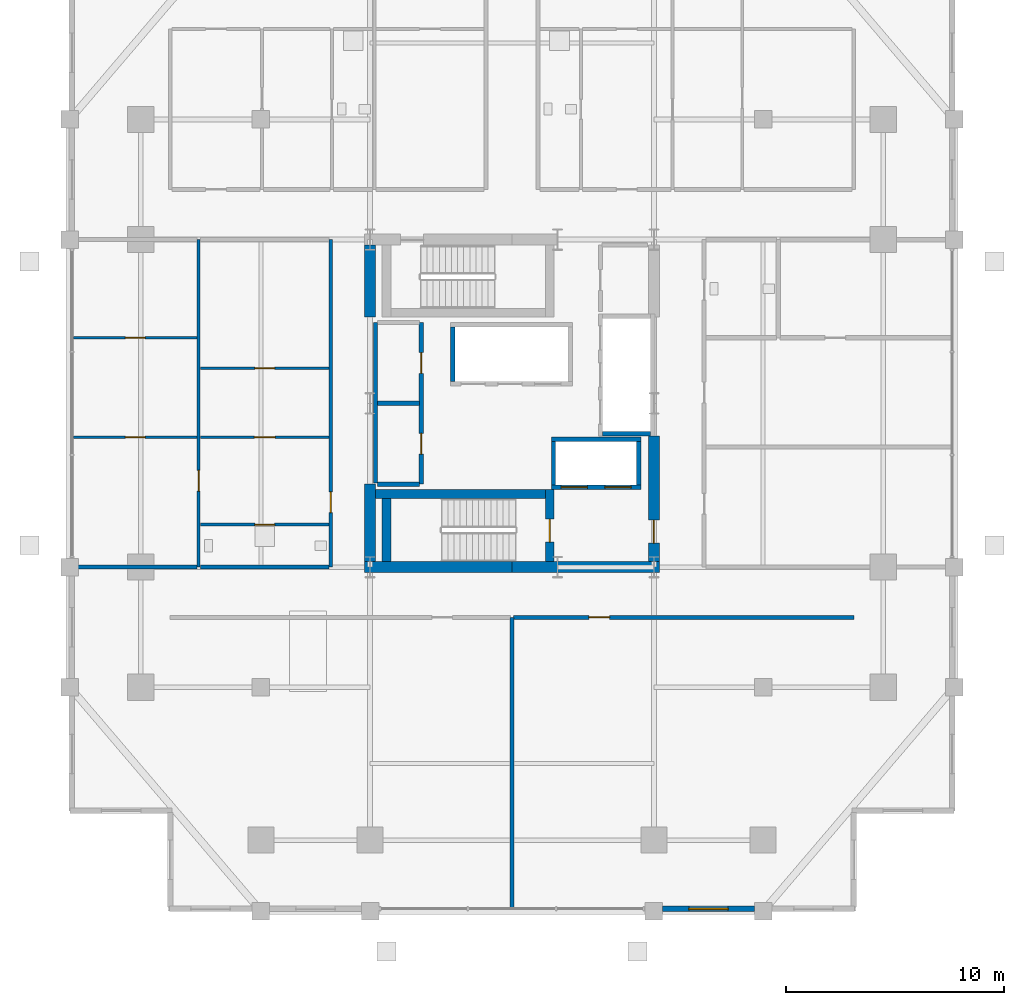
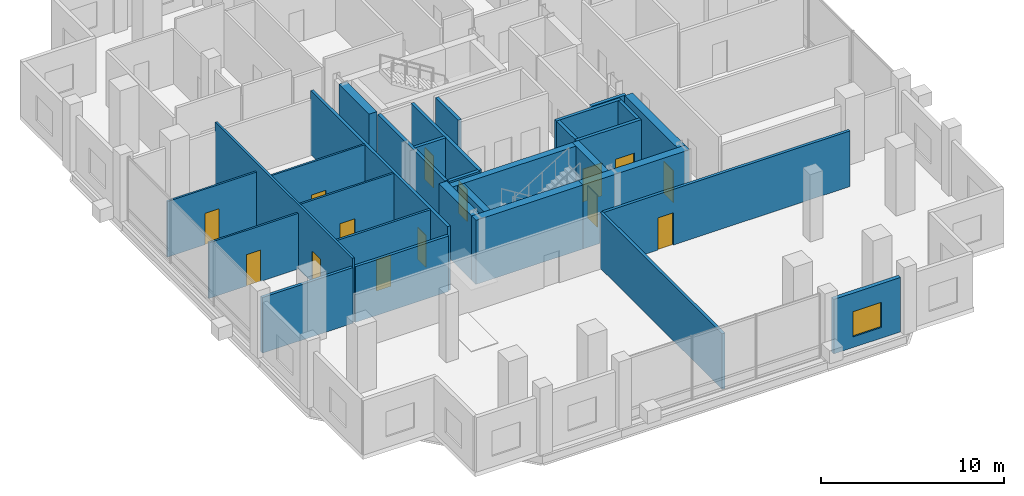
# One storey, part 14 of 19: 30 walls, 14 doors, 1 window, 15 openings.
"""IFC4 building model written with IfcOpenShell, lengths in metres."""

from ifc_helpers import new_model, si_unit, direction, frame, frame_2d, origin, place, context, subcontext, project, spatial, rectangle, extrude, material, layer, layer_set, type_object, element, fill, save


model = new_model("IFC4")

# Units and contexts
model_context = context("Model", 3, precision=1e-05, world=origin(), true_north=direction((0.0, 1.0)))
body_context = subcontext(model_context, "Body", "Model", "MODEL_VIEW")
ifc_project = project(units=[si_unit("LENGTHUNIT", "METRE"), si_unit("AREAUNIT", "SQUARE_METRE"), si_unit("VOLUMEUNIT", "CUBIC_METRE"), si_unit("PLANEANGLEUNIT", "RADIAN"), si_unit("MASSUNIT", "GRAM", prefix="KILO")], contexts=[model_context])

# Site, building, storey
site_placement = place(None, origin())
site = spatial("IfcSite", under=ifc_project, at=site_placement, CompositionType="ELEMENT")
building_placement = place(site_placement, origin())
building = spatial("IfcBuilding", under=site, at=building_placement, Name="Barlavira Tower and Art Museum", CompositionType="ELEMENT")
storey_placement = place(building_placement, frame((0.0, 0.0, 125.10009765625)))
storey = spatial("IfcBuildingStorey", under=building, at=storey_placement, Name="L31", CompositionType="ELEMENT", Elevation=125.10009765625)

# Wall, opening, door
ifc_material_1 = material(Name="Gypsum acoustic stud partition", Category="gypsum")
ifc_layer_1 = layer(ifc_material_1, 0.1201171875, Name="Gypsum acoustic stud partition")
ifc_layer_set_1 = layer_set([ifc_layer_1], Name="Gypsum acoustic stud partition")
wall_type_1 = type_object("IfcWallType", Name="Apartment Internal Acoustic Partition 120", PredefinedType="PARTITIONING", material=ifc_layer_set_1)
wall_1_placement = place(storey_placement, frame((-20.070068359375, -1.550048828125, 0.0), z_axis=(0.0, 0.0, 1.0), x_axis=(1.0, 0.0, 0.0)))
wall_1 = element("IfcWall", 1, at=wall_1_placement, inside=storey, type_object=wall_type_1, Name="L31 Partition Wall 27", PredefinedType="PARTITIONING", context=body_context, shape_type="SweptSolid", body=[
    extrude(rectangle(XDim=5.64013671875, YDim=0.1201171875, at=frame_2d((2.820068359375, 0.0))), origin(), (0.0, 0.0, 1.0), 3.7158203125),
])
opening_1_placement = place(wall_1_placement, frame((2.3701171875, 0.0, 0.0)))
opening_1 = element("IfcOpeningElement", 2, at=opening_1_placement, cuts=wall_1, Name="Opening D-01", PredefinedType="OPENING", context=body_context, shape_type="SweptSolid", body=[
    extrude(rectangle(XDim=0.89990234375, YDim=2.10009765625, at=frame_2d((0.449951171875, 1.050048828125))), frame((0.0, 0.070068359375, 0.0), z_axis=(0.0, -1.0, 0.0), x_axis=(1.0, 0.0, 0.0)), (0.0, 0.0, 1.0), 0.14013671875),
])
ifc_material_2 = material(Name="Engineered coastal hardwood", Category="wood")
door_type_1 = type_object("IfcDoorType", Name="Internal Bedroom Timber Flush Door 900x2100", OperationType="NOTDEFINED", PredefinedType="DOOR", material=ifc_material_2)
door_1_placement = place(opening_1_placement, origin())
door_1 = element("IfcDoor", 3, at=door_1_placement, inside=storey, type_object=door_type_1, Name="Apartment SKY-W1 Bedroom 1 Door", OperationType="SINGLE_SWING_LEFT", OverallHeight=2.10009765625, OverallWidth=0.89990234375, PredefinedType="DOOR", context=body_context, shape_type="SweptSolid", body=[
    extrude(rectangle(XDim=0.89990234375, YDim=2.10009765625, at=frame_2d((0.449951171875, 1.050048828125))), frame((0.0, 0.02490234375, 0.0), z_axis=(0.0, -1.0, 0.0), x_axis=(1.0, 0.0, 0.0)), (0.0, 0.0, 1.0), 0.050048828125),
])
fill(opening_1, door_1)

wall_2_placement = place(storey_placement, frame((-14.27001953125, -1.550048828125, 0.0), z_axis=(0.0, 0.0, 1.0), x_axis=(1.0, 0.0, 0.0)))
wall_2 = element("IfcWall", 4, at=wall_2_placement, inside=storey, type_object=wall_type_1, Name="L31 Partition Wall 28", PredefinedType="PARTITIONING", context=body_context, shape_type="SweptSolid", body=[
    extrude(rectangle(XDim=5.89013671875, YDim=0.1201171875, at=frame_2d((2.945068359375, 0.0))), origin(), (0.0, 0.0, 1.0), 4.27978515625),
])
opening_2_placement = place(wall_2_placement, frame((2.47509765625, 0.0, 0.0)))
opening_2 = element("IfcOpeningElement", 5, at=opening_2_placement, cuts=wall_2, Name="Opening D-02", PredefinedType="OPENING", context=body_context, shape_type="SweptSolid", body=[
    extrude(rectangle(XDim=0.949951171875, YDim=2.10009765625, at=frame_2d((0.47509765625, 1.050048828125))), frame((0.0, 0.070068359375, 0.0), z_axis=(0.0, -1.0, 0.0), x_axis=(1.0, 0.0, 0.0)), (0.0, 0.0, 1.0), 0.14013671875),
])
door_type_2 = type_object("IfcDoorType", Name="Living and Salon Glazed-Leaf Door 950x2100", OperationType="NOTDEFINED", PredefinedType="DOOR", material=ifc_material_2)
door_2_placement = place(opening_2_placement, origin())
door_2 = element("IfcDoor", 6, at=door_2_placement, inside=storey, type_object=door_type_2, Name="Apartment SKY-W1 Kitchen Door", OperationType="SINGLE_SWING_RIGHT", OverallHeight=2.10009765625, OverallWidth=0.949951171875, PredefinedType="DOOR", context=body_context, shape_type="SweptSolid", body=[
    extrude(rectangle(XDim=0.949951171875, YDim=2.10009765625, at=frame_2d((0.47509765625, 1.050048828125))), frame((0.0, 0.02490234375, 0.0), z_axis=(0.0, -1.0, 0.0), x_axis=(1.0, 0.0, 0.0)), (0.0, 0.0, 1.0), 0.050048828125),
])
fill(opening_2, door_2)

wall_3_placement = place(storey_placement, frame((-14.27001953125, 1.60009765625, 0.0), z_axis=(0.0, 0.0, 1.0), x_axis=(1.0, 0.0, 0.0)))
wall_3 = element("IfcWall", 7, at=wall_3_placement, inside=storey, type_object=wall_type_1, Name="L31 Partition Wall 30", PredefinedType="PARTITIONING", context=body_context, shape_type="SweptSolid", body=[
    extrude(rectangle(XDim=5.89013671875, YDim=0.1201171875, at=frame_2d((2.945068359375, 0.0))), origin(), (0.0, 0.0, 1.0), 4.27978515625),
])
opening_3_placement = place(wall_3_placement, frame((2.5, 0.0, 0.0)))
opening_3 = element("IfcOpeningElement", 8, at=opening_3_placement, cuts=wall_3, Name="Opening D-01", PredefinedType="OPENING", context=body_context, shape_type="SweptSolid", body=[
    extrude(rectangle(XDim=0.89990234375, YDim=2.10009765625, at=frame_2d((0.449951171875, 1.050048828125))), frame((0.0, 0.070068359375, 0.0), z_axis=(0.0, -1.0, 0.0), x_axis=(1.0, 0.0, 0.0)), (0.0, 0.0, 1.0), 0.14013671875),
])
door_3_placement = place(opening_3_placement, origin())
door_3 = element("IfcDoor", 9, at=door_3_placement, inside=storey, type_object=door_type_1, Name="Apartment SKY-W1 Walk-In Dressing Room Door", OperationType="SINGLE_SWING_LEFT", OverallHeight=2.10009765625, OverallWidth=0.89990234375, PredefinedType="DOOR", context=body_context, shape_type="SweptSolid", body=[
    extrude(rectangle(XDim=0.89990234375, YDim=2.10009765625, at=frame_2d((0.449951171875, 1.050048828125))), frame((0.0, 0.02490234375, 0.0), z_axis=(0.0, -1.0, 0.0), x_axis=(1.0, 0.0, 0.0)), (0.0, 0.0, 1.0), 0.050048828125),
])
fill(opening_3, door_3)

wall_4_placement = place(storey_placement, frame((-20.070068359375, 3.0, 0.0), z_axis=(0.0, 0.0, 1.0), x_axis=(1.0, 0.0, 0.0)))
wall_4 = element("IfcWall", 10, at=wall_4_placement, inside=storey, type_object=wall_type_1, Name="L31 Partition Wall 31", PredefinedType="PARTITIONING", context=body_context, shape_type="SweptSolid", body=[
    extrude(rectangle(XDim=5.64013671875, YDim=0.1201171875, at=frame_2d((2.820068359375, 0.0))), origin(), (0.0, 0.0, 1.0), 3.7158203125),
])
opening_4_placement = place(wall_4_placement, frame((2.3701171875, 0.0, 0.0)))
opening_4 = element("IfcOpeningElement", 11, at=opening_4_placement, cuts=wall_4, Name="Opening D-01", PredefinedType="OPENING", context=body_context, shape_type="SweptSolid", body=[
    extrude(rectangle(XDim=0.89990234375, YDim=2.10009765625, at=frame_2d((0.449951171875, 1.050048828125))), frame((0.0, 0.070068359375, 0.0), z_axis=(0.0, -1.0, 0.0), x_axis=(1.0, 0.0, 0.0)), (0.0, 0.0, 1.0), 0.14013671875),
])
door_4_placement = place(opening_4_placement, origin())
door_4 = element("IfcDoor", 12, at=door_4_placement, inside=storey, type_object=door_type_1, Name="Apartment SKY-W1 Bedroom 2 Door", OperationType="SINGLE_SWING_RIGHT", OverallHeight=2.10009765625, OverallWidth=0.89990234375, PredefinedType="DOOR", context=body_context, shape_type="SweptSolid", body=[
    extrude(rectangle(XDim=0.89990234375, YDim=2.10009765625, at=frame_2d((0.449951171875, 1.050048828125))), frame((0.0, 0.02490234375, 0.0), z_axis=(0.0, -1.0, 0.0), x_axis=(1.0, 0.0, 0.0)), (0.0, 0.0, 1.0), 0.050048828125),
])
fill(opening_4, door_4)

# Walls
ifc_material_3 = material(Name="Concrete C60", Category="concrete")
ifc_layer_2 = layer(ifc_material_3, 0.5, Name="Concrete C60")
ifc_layer_set_2 = layer_set([ifc_layer_2], Name="Concrete C60")
wall_type_2 = type_object("IfcWallType", Name="Core Structural Shear Wall 500 Concrete C60", PredefinedType="SHEAR", material=ifc_layer_set_2)
for number, where, z_axis, x_axis, name in (
    (13, (-6.75, -7.5, 0.0), (0.0, 0.0, 1.0), (1.0, 0.0, 0.0), "L31 Core Shear Wall CS-SW"),
    (14, (0.0, -7.5, 0.0), (0.0, 0.0, 1.0), (1.0, 0.0, 0.0), "L31 Core Shear Wall CS-SE"),
):
    element("IfcWall", number, at=place(storey_placement, frame(where, z_axis=z_axis, x_axis=x_axis)), inside=storey, type_object=wall_type_2, Name=name, PredefinedType="SHEAR", context=body_context, shape_type="SweptSolid", body=[
        extrude(rectangle(XDim=6.75, YDim=0.5, at=frame_2d((3.375, 0.0))), origin(), (0.0, 0.0, 1.0), 4.27978515625),
    ])
wall_5_placement = place(storey_placement, frame((-6.5, -7.25, 0.0), z_axis=(0.0, 0.0, 1.0), x_axis=(0.0, 1.0, 0.0)))
element("IfcWall", 15, at=wall_5_placement, inside=storey, type_object=wall_type_2, Name="L31 Core Shear Wall CS-W1", PredefinedType="SHEAR", context=body_context, shape_type="SweptSolid", body=[
    extrude(rectangle(XDim=3.550048828125, YDim=0.5, at=frame_2d((1.77490234375, 0.0))), origin(), (0.0, 0.0, 1.0), 4.27978515625),
])
wall_6_placement = place(storey_placement, frame((-6.5, 3.949951171875, 0.0), z_axis=(0.0, 0.0, 1.0), x_axis=(0.0, 1.0, 0.0)))
element("IfcWall", 16, at=wall_6_placement, inside=storey, type_object=wall_type_2, Name="L31 Core Shear Wall CS-W2", PredefinedType="SHEAR", context=body_context, shape_type="SweptSolid", body=[
    extrude(rectangle(XDim=3.300048828125, YDim=0.5, at=frame_2d((1.64990234375, 0.0))), origin(), (0.0, 0.0, 1.0), 4.27978515625),
])

# Wall, opening, door
wall_7_placement = place(storey_placement, frame((6.5, -7.25, 0.0), z_axis=(0.0, 0.0, 1.0), x_axis=(0.0, 1.0, 0.0)))
wall_7 = element("IfcWall", 17, at=wall_7_placement, inside=storey, type_object=wall_type_2, Name="L31 Core Shear Wall CS-E1", PredefinedType="SHEAR", context=body_context, shape_type="SweptSolid", body=[
    extrude(rectangle(XDim=5.75, YDim=0.5, at=frame_2d((2.875, 0.0))), origin(), (0.0, 0.0, 1.0), 4.27978515625),
])
opening_5_placement = place(wall_7_placement, frame((0.85009765625, 0.0, 0.0)))
opening_5 = element("IfcOpeningElement", 18, at=opening_5_placement, cuts=wall_7, Name="Opening FD-90", PredefinedType="OPENING", context=body_context, shape_type="SweptSolid", body=[
    extrude(rectangle(XDim=1.050048828125, YDim=2.14990234375, at=frame_2d((0.52490234375, 1.074951171875))), frame((0.0, 0.260009765625, 0.0), z_axis=(0.0, -1.0, 0.0), x_axis=(1.0, 0.0, 0.0)), (0.0, 0.0, 1.0), 0.52001953125),
])
ifc_material_4 = material(Name="Brushed stainless steel", Category="steel")
door_type_3 = type_object("IfcDoorType", Name="Stair and Refuge Fire Door 1050x2150 FD90S", OperationType="NOTDEFINED", PredefinedType="DOOR", material=ifc_material_4)
door_5_placement = place(opening_5_placement, origin())
door_5 = element("IfcDoor", 19, at=door_5_placement, inside=storey, type_object=door_type_3, Name="L31 Firefighting Lobby Entry Fire Door", OperationType="SINGLE_SWING_LEFT", OverallHeight=2.14990234375, OverallWidth=1.050048828125, PredefinedType="DOOR", context=body_context, shape_type="SweptSolid", body=[
    extrude(rectangle(XDim=1.050048828125, YDim=2.14990234375, at=frame_2d((0.52490234375, 1.074951171875))), frame((0.0, 0.02490234375, 0.0), z_axis=(0.0, -1.0, 0.0), x_axis=(1.0, 0.0, 0.0)), (0.0, 0.0, 1.0), 0.050048828125),
])
fill(opening_5, door_5)

# Walls
ifc_material_5 = material(Name="Autoclaved aerated concrete masonry", Category="masonry")
ifc_layer_3 = layer(ifc_material_5, 0.199951171875, Name="Autoclaved aerated concrete masonry")
ifc_layer_set_3 = layer_set([ifc_layer_3], Name="Autoclaved aerated concrete masonry")
wall_type_3 = type_object("IfcWallType", Name="Fire Compartment and Shaft Wall 200", PredefinedType="SOLIDWALL", material=ifc_layer_set_3)
wall_8_placement = place(storey_placement, frame((4.14990234375, -1.389892578125, 0.0), z_axis=(0.0, 0.0, 1.0), x_axis=(1.0, 0.0, 0.0)))
element("IfcWall", 20, at=wall_8_placement, inside=storey, type_object=wall_type_3, Name="L31 Mid-Rise Lift South Shaft Wall", PredefinedType="SOLIDWALL", context=body_context, shape_type="SweptSolid", body=[
    extrude(rectangle(XDim=2.2001953125, YDim=0.199951171875, at=frame_2d((1.10009765625, 0.0))), origin(), (0.0, 0.0, 1.0), 4.27978515625),
])
wall_9_placement = place(storey_placement, frame((-2.719970703125, 1.0, 0.0), z_axis=(0.0, 0.0, 1.0), x_axis=(0.0, 1.0, 0.0)))
element("IfcWall", 21, at=wall_9_placement, inside=storey, type_object=wall_type_3, Name="L31 High-Rise & Service Lift West Wall", PredefinedType="SOLIDWALL", context=body_context, shape_type="SweptSolid", body=[
    extrude(rectangle(XDim=2.5, YDim=0.199951171875, at=frame_2d((1.25, 0.0))), origin(), (0.0, 0.0, 1.0), 4.27978515625),
])

# Wall, openings, doors
wall_10_placement = place(storey_placement, frame((1.800048828125, -3.85009765625, 0.0), z_axis=(0.0, 0.0, 1.0), x_axis=(1.0, 0.0, 0.0)))
wall_10 = element("IfcWall", 22, at=wall_10_placement, inside=storey, type_object=wall_type_3, Name="L31 Firefighting Lift Front Shaft Wall", PredefinedType="SOLIDWALL", context=body_context, shape_type="SweptSolid", body=[
    extrude(rectangle(XDim=4.099853515625, YDim=0.199951171875, at=frame_2d((2.0498046875, 0.0))), origin(), (0.0, 0.0, 1.0), 4.27978515625),
])
opening_6_placement = place(wall_10_placement, frame((0.449951171875, 0.0, 0.0)))
opening_6 = element("IfcOpeningElement", 23, at=opening_6_placement, cuts=wall_10, Name="Opening LD-F", PredefinedType="OPENING", context=body_context, shape_type="SweptSolid", body=[
    extrude(rectangle(XDim=1.199951171875, YDim=2.199951171875, at=frame_2d((0.60009765625, 1.10009765625))), frame((0.0, 0.10986328125, 0.0), z_axis=(0.0, -1.0, 0.0), x_axis=(1.0, 0.0, 0.0)), (0.0, 0.0, 1.0), 0.219970703125),
])
opening_7_placement = place(wall_10_placement, frame((2.449951171875, 0.0, 0.0)))
opening_7 = element("IfcOpeningElement", 24, at=opening_7_placement, cuts=wall_10, Name="Opening LD-F", PredefinedType="OPENING", context=body_context, shape_type="SweptSolid", body=[
    extrude(rectangle(XDim=1.199951171875, YDim=2.199951171875, at=frame_2d((0.60009765625, 1.10009765625))), frame((0.0, 0.10986328125, 0.0), z_axis=(0.0, -1.0, 0.0), x_axis=(1.0, 0.0, 0.0)), (0.0, 0.0, 1.0), 0.219970703125),
])
door_type_4 = type_object("IfcDoorType", Name="Firefighting and Service Lift Sliding Door 1200x2200 FD120", OperationType="NOTDEFINED", PredefinedType="DOOR", material=ifc_material_4)
door_6_placement = place(opening_6_placement, origin())
door_6 = element("IfcDoor", 25, at=door_6_placement, inside=storey, type_object=door_type_4, Name="L31 Firefighting Lift FF1 Sliding Door", OperationType="DOUBLE_DOOR_SLIDING", OverallHeight=2.199951171875, OverallWidth=1.199951171875, PredefinedType="DOOR", context=body_context, shape_type="SweptSolid", body=[
    extrude(rectangle(XDim=1.199951171875, YDim=2.199951171875, at=frame_2d((0.60009765625, 1.10009765625))), frame((0.0, 0.02490234375, 0.0), z_axis=(0.0, -1.0, 0.0), x_axis=(1.0, 0.0, 0.0)), (0.0, 0.0, 1.0), 0.050048828125),
])
fill(opening_6, door_6)
door_7_placement = place(opening_7_placement, origin())
door_7 = element("IfcDoor", 26, at=door_7_placement, inside=storey, type_object=door_type_4, Name="L31 Firefighting Lift FF2 Sliding Door", OperationType="DOUBLE_DOOR_SLIDING", OverallHeight=2.199951171875, OverallWidth=1.199951171875, PredefinedType="DOOR", context=body_context, shape_type="SweptSolid", body=[
    extrude(rectangle(XDim=1.199951171875, YDim=2.199951171875, at=frame_2d((0.60009765625, 1.10009765625))), frame((0.0, 0.02490234375, 0.0), z_axis=(0.0, -1.0, 0.0), x_axis=(1.0, 0.0, 0.0)), (0.0, 0.0, 1.0), 0.050048828125),
])
fill(opening_7, door_7)

# Walls
wall_11_placement = place(storey_placement, frame((1.800048828125, -1.64990234375, 0.0), z_axis=(0.0, 0.0, 1.0), x_axis=(1.0, 0.0, 0.0)))
element("IfcWall", 27, at=wall_11_placement, inside=storey, type_object=wall_type_3, Name="L31 Firefighting Lift Back Shaft Wall", PredefinedType="SOLIDWALL", context=body_context, shape_type="SweptSolid", body=[
    extrude(rectangle(XDim=4.099853515625, YDim=0.199951171875, at=frame_2d((2.0498046875, 0.0))), origin(), (0.0, 0.0, 1.0), 4.27978515625),
])
for number, where, z_axis, x_axis, name in (
    (28, (1.89990234375, -3.75, 0.0), (0.0, 0.0, 1.0), (0.0, 1.0, 0.0), "L31 Firefighting Lift West Shaft Wall"),
    (29, (5.800048828125, -3.75, 0.0), (0.0, 0.0, 1.0), (0.0, 1.0, 0.0), "L31 Firefighting Lift East Shaft Wall"),
):
    element("IfcWall", number, at=place(storey_placement, frame(where, z_axis=z_axis, x_axis=x_axis)), inside=storey, type_object=wall_type_3, Name=name, PredefinedType="SOLIDWALL", context=body_context, shape_type="SweptSolid", body=[
        extrude(rectangle(XDim=2.0, YDim=0.199951171875, at=frame_2d((1.0, 0.0))), origin(), (0.0, 0.0, 1.0), 4.27978515625),
    ])
wall_12_placement = place(storey_placement, frame((-6.25, -3.639892578125, 0.0), z_axis=(0.0, 0.0, 1.0), x_axis=(0.0, 1.0, 0.0)))
element("IfcWall", 30, at=wall_12_placement, inside=storey, type_object=wall_type_3, Name="L31 Partition Wall 7", PredefinedType="SOLIDWALL", context=body_context, shape_type="SweptSolid", body=[
    extrude(rectangle(XDim=7.33984375, YDim=0.199951171875, at=frame_2d((3.669921875, 0.0))), origin(), (0.0, 0.0, 1.0), 4.27978515625),
])

# Wall, openings, doors
wall_13_placement = place(storey_placement, frame((-4.14990234375, -3.699951171875, 0.0), z_axis=(0.0, 0.0, 1.0), x_axis=(0.0, 1.0, 0.0)))
wall_13 = element("IfcWall", 31, at=wall_13_placement, inside=storey, type_object=wall_type_3, Name="L31 Partition Wall 8", PredefinedType="SOLIDWALL", context=body_context, shape_type="SweptSolid", body=[
    extrude(rectangle(XDim=7.39990234375, YDim=0.199951171875, at=frame_2d((3.699951171875, 0.0))), origin(), (0.0, 0.0, 1.0), 4.27978515625),
])
opening_8_placement = place(wall_13_placement, frame((1.375, 0.0, 0.0)))
opening_8 = element("IfcOpeningElement", 32, at=opening_8_placement, cuts=wall_13, Name="Opening FD-60", PredefinedType="OPENING", context=body_context, shape_type="SweptSolid", body=[
    extrude(rectangle(XDim=0.949951171875, YDim=2.14990234375, at=frame_2d((0.47509765625, 1.074951171875))), frame((0.0, 0.10986328125, 0.0), z_axis=(0.0, -1.0, 0.0), x_axis=(1.0, 0.0, 0.0)), (0.0, 0.0, 1.0), 0.219970703125),
])
opening_9_placement = place(wall_13_placement, frame((5.074951171875, 0.0, 0.0)))
opening_9 = element("IfcOpeningElement", 33, at=opening_9_placement, cuts=wall_13, Name="Opening FD-60", PredefinedType="OPENING", context=body_context, shape_type="SweptSolid", body=[
    extrude(rectangle(XDim=0.949951171875, YDim=2.14990234375, at=frame_2d((0.47509765625, 1.074951171875))), frame((0.0, 0.10986328125, 0.0), z_axis=(0.0, -1.0, 0.0), x_axis=(1.0, 0.0, 0.0)), (0.0, 0.0, 1.0), 0.219970703125),
])
door_type_5 = type_object("IfcDoorType", Name="Apartment Entrance and Riser Fire Door 950x2150 FD60S", OperationType="NOTDEFINED", PredefinedType="DOOR", material=ifc_material_4)
door_8_placement = place(opening_8_placement, origin())
door_8 = element("IfcDoor", 34, at=door_8_placement, inside=storey, type_object=door_type_5, Name="Reclaimed Core Linen and Amenity Store Door", OperationType="SINGLE_SWING_RIGHT", OverallHeight=2.14990234375, OverallWidth=0.949951171875, PredefinedType="DOOR", context=body_context, shape_type="SweptSolid", body=[
    extrude(rectangle(XDim=0.949951171875, YDim=2.14990234375, at=frame_2d((0.47509765625, 1.074951171875))), frame((0.0, 0.02490234375, 0.0), z_axis=(0.0, -1.0, 0.0), x_axis=(1.0, 0.0, 0.0)), (0.0, 0.0, 1.0), 0.050048828125),
])
fill(opening_8, door_8)
door_9_placement = place(opening_9_placement, origin())
door_9 = element("IfcDoor", 35, at=door_9_placement, inside=storey, type_object=door_type_5, Name="Reclaimed Core Telecom and BMS Room Door", OperationType="SINGLE_SWING_LEFT", OverallHeight=2.14990234375, OverallWidth=0.949951171875, PredefinedType="DOOR", context=body_context, shape_type="SweptSolid", body=[
    extrude(rectangle(XDim=0.949951171875, YDim=2.14990234375, at=frame_2d((0.47509765625, 1.074951171875))), frame((0.0, 0.02490234375, 0.0), z_axis=(0.0, -1.0, 0.0), x_axis=(1.0, 0.0, 0.0)), (0.0, 0.0, 1.0), 0.050048828125),
])
fill(opening_9, door_9)

# Walls
for number, where, z_axis, x_axis, name in (
    (36, (-6.169921875, -3.699951171875, 0.0), (0.0, 0.0, 1.0), (1.0, 0.0, 0.0), "L31 Partition Wall 25"),
    (37, (-6.169921875, 0.0, 0.0), (0.0, 0.0, 1.0), (1.0, 0.0, 0.0), "L31 Partition Wall 29"),
):
    element("IfcWall", number, at=place(storey_placement, frame(where, z_axis=z_axis, x_axis=x_axis)), inside=storey, type_object=wall_type_3, Name=name, PredefinedType="SOLIDWALL", context=body_context, shape_type="SweptSolid", body=[
        extrude(rectangle(XDim=1.93994140625, YDim=0.199951171875, at=frame_2d((0.969970703125, 0.0))), origin(), (0.0, 0.0, 1.0), 4.27978515625),
    ])

# Wall, opening, door
ifc_layer_4 = layer(ifc_material_1, 0.179931640625, Name="Gypsum acoustic stud partition")
ifc_layer_set_4 = layer_set([ifc_layer_4], Name="Gypsum acoustic stud partition")
wall_type_4 = type_object("IfcWallType", Name="Inter-Tenancy Party Partition Wall 180", PredefinedType="PARTITIONING", material=ifc_layer_set_4)
wall_14_placement = place(storey_placement, frame((-8.300048828125, -7.5, 0.0), z_axis=(0.0, 0.0, 1.0), x_axis=(0.0, 1.0, 0.0)))
wall_14 = element("IfcWall", 38, at=wall_14_placement, inside=storey, type_object=wall_type_4, Name="L31 Partition Wall 4", PredefinedType="PARTITIONING", context=body_context, shape_type="SweptSolid", body=[
    extrude(rectangle(XDim=15.0, YDim=0.179931640625, at=frame_2d((7.5, 0.0))), origin(), (0.0, 0.0, 1.0), 4.27978515625),
])
opening_10_placement = place(wall_14_placement, frame((2.4951171875, 0.0, 0.0)))
opening_10 = element("IfcOpeningElement", 39, at=opening_10_placement, cuts=wall_14, Name="Opening FD-60", PredefinedType="OPENING", context=body_context, shape_type="SweptSolid", body=[
    extrude(rectangle(XDim=0.949951171875, YDim=2.14990234375, at=frame_2d((0.47509765625, 1.074951171875))), frame((0.0, 0.10009765625, 0.0), z_axis=(0.0, -1.0, 0.0), x_axis=(1.0, 0.0, 0.0)), (0.0, 0.0, 1.0), 0.199951171875),
])
door_10_placement = place(opening_10_placement, origin())
door_10 = element("IfcDoor", 40, at=door_10_placement, inside=storey, type_object=door_type_5, Name="Apartment Entrance Hall SKY-W1 Door", OperationType="SINGLE_SWING_LEFT", OverallHeight=2.14990234375, OverallWidth=0.949951171875, PredefinedType="DOOR", context=body_context, shape_type="SweptSolid", body=[
    extrude(rectangle(XDim=0.949951171875, YDim=2.14990234375, at=frame_2d((0.47509765625, 1.074951171875))), frame((0.0, 0.02490234375, 0.0), z_axis=(0.0, -1.0, 0.0), x_axis=(1.0, 0.0, 0.0)), (0.0, 0.0, 1.0), 0.050048828125),
])
fill(opening_10, door_10)

# Wall
wall_15_placement = place(storey_placement, frame((0.0, -23.14990234375, 0.0), z_axis=(0.0, 0.0, 1.0), x_axis=(0.0, 1.0, 0.0)))
element("IfcWall", 41, at=wall_15_placement, inside=storey, type_object=wall_type_4, Name="L31 Partition Wall 10", PredefinedType="PARTITIONING", context=body_context, shape_type="SweptSolid", body=[
    extrude(rectangle(XDim=13.349853515625, YDim=0.179931640625, at=frame_2d((6.6748046875, 0.0))), origin(), (0.0, 0.0, 1.0), 3.7158203125),
])

# Wall, opening, door
wall_16_placement = place(storey_placement, frame((0.080078125, -9.800048828125, 0.0), z_axis=(0.0, 0.0, 1.0), x_axis=(1.0, 0.0, 0.0)))
wall_16 = element("IfcWall", 42, at=wall_16_placement, inside=storey, type_object=wall_type_4, Name="L31 Partition Wall 20", PredefinedType="PARTITIONING", context=body_context, shape_type="SweptSolid", body=[
    extrude(rectangle(XDim=15.56982421875, YDim=0.179931640625, at=frame_2d((7.784912109375, 0.0))), origin(), (0.0, 0.0, 1.0), 3.7158203125),
])
opening_11_placement = place(wall_16_placement, frame((3.445068359375, 0.0, 0.0)))
opening_11 = element("IfcOpeningElement", 43, at=opening_11_placement, cuts=wall_16, Name="Opening FD-60", PredefinedType="OPENING", context=body_context, shape_type="SweptSolid", body=[
    extrude(rectangle(XDim=0.949951171875, YDim=2.14990234375, at=frame_2d((0.47509765625, 1.074951171875))), frame((0.0, 0.10009765625, 0.0), z_axis=(0.0, -1.0, 0.0), x_axis=(1.0, 0.0, 0.0)), (0.0, 0.0, 1.0), 0.199951171875),
])
door_11_placement = place(opening_11_placement, origin())
door_11 = element("IfcDoor", 44, at=door_11_placement, inside=storey, type_object=door_type_5, Name="Atlantic Horizon Sky Cafe and Bar Door", OperationType="SINGLE_SWING_RIGHT", OverallHeight=2.14990234375, OverallWidth=0.949951171875, PredefinedType="DOOR", context=body_context, shape_type="SweptSolid", body=[
    extrude(rectangle(XDim=0.949951171875, YDim=2.14990234375, at=frame_2d((0.47509765625, 1.074951171875))), frame((0.0, 0.02490234375, 0.0), z_axis=(0.0, -1.0, 0.0), x_axis=(1.0, 0.0, 0.0)), (0.0, 0.0, 1.0), 0.050048828125),
])
fill(opening_11, door_11)

# Walls
wall_17_placement = place(storey_placement, frame((-20.14990234375, -7.5, 0.0), z_axis=(0.0, 0.0, 1.0), x_axis=(1.0, 0.0, 0.0)))
element("IfcWall", 45, at=wall_17_placement, inside=storey, type_object=wall_type_4, Name="L31 Partition Wall 21", PredefinedType="PARTITIONING", context=body_context, shape_type="SweptSolid", body=[
    extrude(rectangle(XDim=5.719970703125, YDim=0.179931640625, at=frame_2d((2.85986328125, 0.0))), origin(), (0.0, 0.0, 1.0), 3.7158203125),
])
wall_18_placement = place(storey_placement, frame((-14.27001953125, -7.5, 0.0), z_axis=(0.0, 0.0, 1.0), x_axis=(1.0, 0.0, 0.0)))
element("IfcWall", 46, at=wall_18_placement, inside=storey, type_object=wall_type_4, Name="L31 Partition Wall 22", PredefinedType="PARTITIONING", context=body_context, shape_type="SweptSolid", body=[
    extrude(rectangle(XDim=5.89013671875, YDim=0.179931640625, at=frame_2d((2.945068359375, 0.0))), origin(), (0.0, 0.0, 1.0), 3.7158203125),
])

# Wall, opening, door
ifc_layer_5 = layer(ifc_material_1, 0.139892578125, Name="Gypsum acoustic stud partition")
ifc_layer_set_5 = layer_set([ifc_layer_5], Name="Gypsum acoustic stud partition")
wall_type_5 = type_object("IfcWallType", Name="Moisture-Resistant Bathroom Partition 140", PredefinedType="PARTITIONING", material=ifc_layer_set_5)
wall_19_placement = place(storey_placement, frame((-14.35009765625, -7.5, 0.0), z_axis=(0.0, 0.0, 1.0), x_axis=(0.0, 1.0, 0.0)))
wall_19 = element("IfcWall", 47, at=wall_19_placement, inside=storey, type_object=wall_type_5, Name="L31 Partition Wall 2", PredefinedType="PARTITIONING", context=body_context, shape_type="SweptSolid", body=[
    extrude(rectangle(XDim=15.0, YDim=0.139892578125, at=frame_2d((7.5, 0.0))), origin(), (0.0, 0.0, 1.0), 4.27978515625),
])
opening_12_placement = place(wall_19_placement, frame((3.47509765625, 0.0, 0.0)))
opening_12 = element("IfcOpeningElement", 48, at=opening_12_placement, cuts=wall_19, Name="Opening D-02", PredefinedType="OPENING", context=body_context, shape_type="SweptSolid", body=[
    extrude(rectangle(XDim=0.949951171875, YDim=2.10009765625, at=frame_2d((0.47509765625, 1.050048828125))), frame((0.0, 0.080078125, 0.0), z_axis=(0.0, -1.0, 0.0), x_axis=(1.0, 0.0, 0.0)), (0.0, 0.0, 1.0), 0.159912109375),
])
door_12_placement = place(opening_12_placement, origin())
door_12 = element("IfcDoor", 49, at=door_12_placement, inside=storey, type_object=door_type_2, Name="Apartment SKY-W1 Living Lounge Door", OperationType="SINGLE_SWING_RIGHT", OverallHeight=2.10009765625, OverallWidth=0.949951171875, PredefinedType="DOOR", context=body_context, shape_type="SweptSolid", body=[
    extrude(rectangle(XDim=0.949951171875, YDim=2.10009765625, at=frame_2d((0.47509765625, 1.050048828125))), frame((0.0, 0.02490234375, 0.0), z_axis=(0.0, -1.0, 0.0), x_axis=(1.0, 0.0, 0.0)), (0.0, 0.0, 1.0), 0.050048828125),
])
fill(opening_12, door_12)

wall_20_placement = place(storey_placement, frame((-14.27001953125, -5.550048828125, 0.0), z_axis=(0.0, 0.0, 1.0), x_axis=(1.0, 0.0, 0.0)))
wall_20 = element("IfcWall", 50, at=wall_20_placement, inside=storey, type_object=wall_type_5, Name="L31 Partition Wall 24", PredefinedType="PARTITIONING", context=body_context, shape_type="SweptSolid", body=[
    extrude(rectangle(XDim=5.89013671875, YDim=0.139892578125, at=frame_2d((2.945068359375, 0.0))), origin(), (0.0, 0.0, 1.0), 4.27978515625),
])
opening_13_placement = place(wall_20_placement, frame((2.5, 0.0, 0.0)))
opening_13 = element("IfcOpeningElement", 51, at=opening_13_placement, cuts=wall_20, Name="Opening D-WC", PredefinedType="OPENING", context=body_context, shape_type="SweptSolid", body=[
    extrude(rectangle(XDim=0.89990234375, YDim=2.10009765625, at=frame_2d((0.449951171875, 1.050048828125))), frame((0.0, 0.080078125, 0.0), z_axis=(0.0, -1.0, 0.0), x_axis=(1.0, 0.0, 0.0)), (0.0, 0.0, 1.0), 0.159912109375),
])
door_type_6 = type_object("IfcDoorType", Name="Accessible Bathroom Flush Door 900x2100", OperationType="NOTDEFINED", PredefinedType="DOOR", material=ifc_material_2)
door_13_placement = place(opening_13_placement, origin())
door_13 = element("IfcDoor", 52, at=door_13_placement, inside=storey, type_object=door_type_6, Name="Apartment SKY-W1 Hall Bathroom Door", OperationType="SINGLE_SWING_RIGHT", OverallHeight=2.10009765625, OverallWidth=0.89990234375, PredefinedType="DOOR", context=body_context, shape_type="SweptSolid", body=[
    extrude(rectangle(XDim=0.89990234375, YDim=2.10009765625, at=frame_2d((0.449951171875, 1.050048828125))), frame((0.0, 0.02490234375, 0.0), z_axis=(0.0, -1.0, 0.0), x_axis=(1.0, 0.0, 0.0)), (0.0, 0.0, 1.0), 0.050048828125),
])
fill(opening_13, door_13)

# Wall, opening, window
ifc_material_6 = material(Name="Precast concrete C40", Category="concrete")
ifc_layer_6 = layer(ifc_material_6, 0.25, Name="Precast concrete C40")
ifc_layer_set_6 = layer_set([ifc_layer_6], Name="Precast concrete C40")
wall_type_6 = type_object("IfcWallType", Name="Notched Corner Spandrel Wall 250 Precast Concrete C40", PredefinedType="SOLIDWALL", material=ifc_layer_set_6)
wall_21_placement = place(storey_placement, frame((6.89501953125, -23.14990234375, 0.0), z_axis=(0.0, 0.0, 1.0), x_axis=(1.0, 0.0, 0.0)))
wall_21 = element("IfcWall", 53, at=wall_21_placement, inside=storey, type_object=wall_type_6, Name="L31 Coastal Facade Pier Wall CW2-L31-S-4", PredefinedType="SOLIDWALL", context=body_context, shape_type="SweptSolid", body=[
    extrude(rectangle(XDim=4.2099609375, YDim=0.25, at=frame_2d((2.10498046875, 0.0))), origin(), (0.0, 0.0, 1.0), 3.635986328125),
])
opening_14_placement = place(wall_21_placement, frame((1.205078125, 0.0, 0.719970703125)))
opening_14 = element("IfcOpeningElement", 54, at=opening_14_placement, cuts=wall_21, Name="Opening WN-01", PredefinedType="OPENING", context=body_context, shape_type="SweptSolid", body=[
    extrude(rectangle(XDim=1.800048828125, YDim=1.679931640625, at=frame_2d((0.89990234375, 0.83984375))), frame((0.0, 0.135009765625, 0.0), z_axis=(0.0, -1.0, 0.0), x_axis=(1.0, 0.0, 0.0)), (0.0, 0.0, 1.0), 0.27001953125),
])
ifc_material_7 = material(Name="Low-iron coastal laminated glass", Category="glass")
window_type = type_object("IfcWindowType", Name="Recessed Notch Corner Punch Window 1800x1680", PartitioningType="SINGLE_PANEL", PredefinedType="WINDOW", material=ifc_material_7)
window_placement = place(opening_14_placement, origin())
window = element("IfcWindow", 55, at=window_placement, inside=storey, type_object=window_type, Name="L31 Punched Facade Window EWP-CW2-L31-S-4-1", OverallHeight=1.679931640625, OverallWidth=1.800048828125, PartitioningType="SINGLE_PANEL", PredefinedType="WINDOW", context=body_context, shape_type="SweptSolid", body=[
    extrude(rectangle(XDim=1.800048828125, YDim=1.679931640625, at=frame_2d((0.89990234375, 0.83984375))), frame((0.0, 0.030029296875, 0.0), z_axis=(0.0, -1.0, 0.0), x_axis=(1.0, 0.0, 0.0)), (0.0, 0.0, 1.0), 0.06005859375),
])
fill(opening_14, window)

# Walls
ifc_material_8 = material(Name="Concrete C55", Category="concrete")
ifc_layer_7 = layer(ifc_material_8, 0.39990234375, Name="Concrete C55")
ifc_layer_set_7 = layer_set([ifc_layer_7], Name="Concrete C55")
wall_type_7 = type_object("IfcWallType", Name="Upper Core Shear Wall 400 Concrete C55", PredefinedType="SHEAR", material=ifc_layer_set_7)
wall_22_placement = place(storey_placement, frame((-5.75, -7.25, 0.0), z_axis=(0.0, 0.0, 1.0), x_axis=(0.0, 1.0, 0.0)))
element("IfcWall", 56, at=wall_22_placement, inside=storey, type_object=wall_type_7, Name="L31 ST-T1 West Half-Landing Wall", PredefinedType="SHEAR", context=body_context, shape_type="SweptSolid", body=[
    extrude(rectangle(XDim=2.89990234375, YDim=0.39990234375, at=frame_2d((1.449951171875, 0.0))), origin(), (0.0, 0.0, 1.0), 4.27978515625),
])
wall_23_placement = place(storey_placement, frame((-6.25, -4.14990234375, 0.0), z_axis=(0.0, 0.0, 1.0), x_axis=(1.0, 0.0, 0.0)))
element("IfcWall", 57, at=wall_23_placement, inside=storey, type_object=wall_type_7, Name="L31 ST-T1 North Shaft Wall", PredefinedType="SHEAR", context=body_context, shape_type="SweptSolid", body=[
    extrude(rectangle(XDim=7.780029296875, YDim=0.39990234375, at=frame_2d((3.89013671875, 0.0))), origin(), (0.0, 0.0, 1.0), 4.27978515625),
])

# Wall, opening, door
wall_24_placement = place(storey_placement, frame((1.72998046875, -7.25, 0.0), z_axis=(0.0, 0.0, 1.0), x_axis=(0.0, 1.0, 0.0)))
wall_24 = element("IfcWall", 58, at=wall_24_placement, inside=storey, type_object=wall_type_7, Name="L31 ST-T1 East Landing Wall", PredefinedType="SHEAR", context=body_context, shape_type="SweptSolid", body=[
    extrude(rectangle(XDim=3.300048828125, YDim=0.39990234375, at=frame_2d((1.64990234375, 0.0))), origin(), (0.0, 0.0, 1.0), 4.27978515625),
])
opening_15_placement = place(wall_24_placement, frame((0.89990234375, 0.0, 0.0)))
opening_15 = element("IfcOpeningElement", 59, at=opening_15_placement, cuts=wall_24, Name="Opening FD-90", PredefinedType="OPENING", context=body_context, shape_type="SweptSolid", body=[
    extrude(rectangle(XDim=1.050048828125, YDim=2.14990234375, at=frame_2d((0.52490234375, 1.074951171875))), frame((0.0, 0.2099609375, 0.0), z_axis=(0.0, -1.0, 0.0), x_axis=(1.0, 0.0, 0.0)), (0.0, 0.0, 1.0), 0.419921875),
])
door_14_placement = place(opening_15_placement, origin())
door_14 = element("IfcDoor", 60, at=door_14_placement, inside=storey, type_object=door_type_3, Name="L31 Stair ST-T1 Fire Door", OperationType="SINGLE_SWING_RIGHT", OverallHeight=2.14990234375, OverallWidth=1.050048828125, PredefinedType="DOOR", context=body_context, shape_type="SweptSolid", body=[
    extrude(rectangle(XDim=1.050048828125, YDim=2.14990234375, at=frame_2d((0.52490234375, 1.074951171875))), frame((0.0, 0.02490234375, 0.0), z_axis=(0.0, -1.0, 0.0), x_axis=(1.0, 0.0, 0.0)), (0.0, 0.0, 1.0), 0.050048828125),
])
fill(opening_15, door_14)

save(model, "model.ifc")
